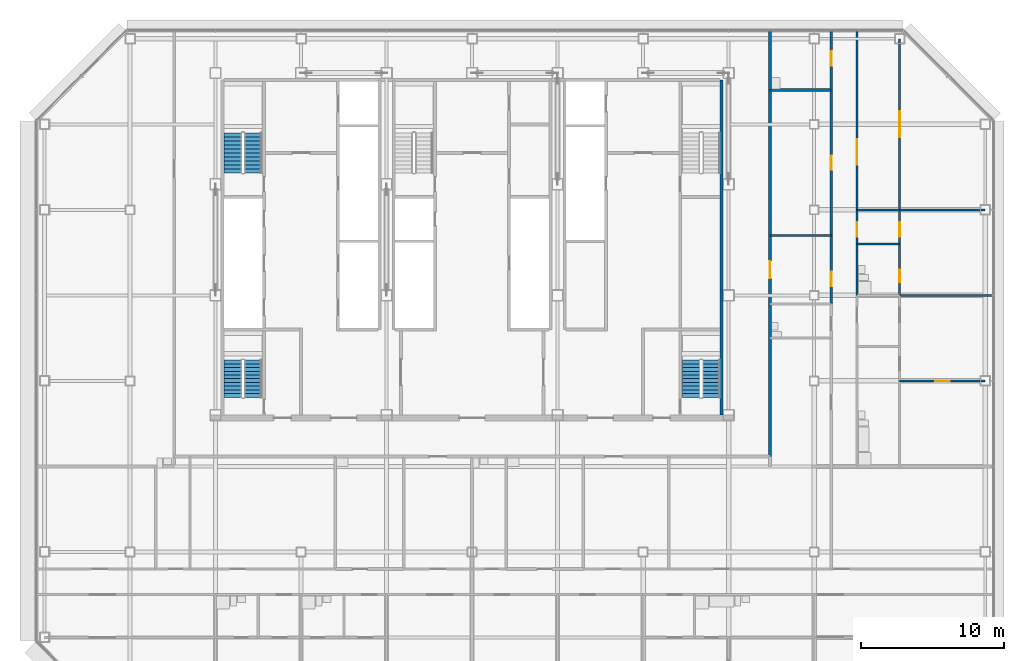
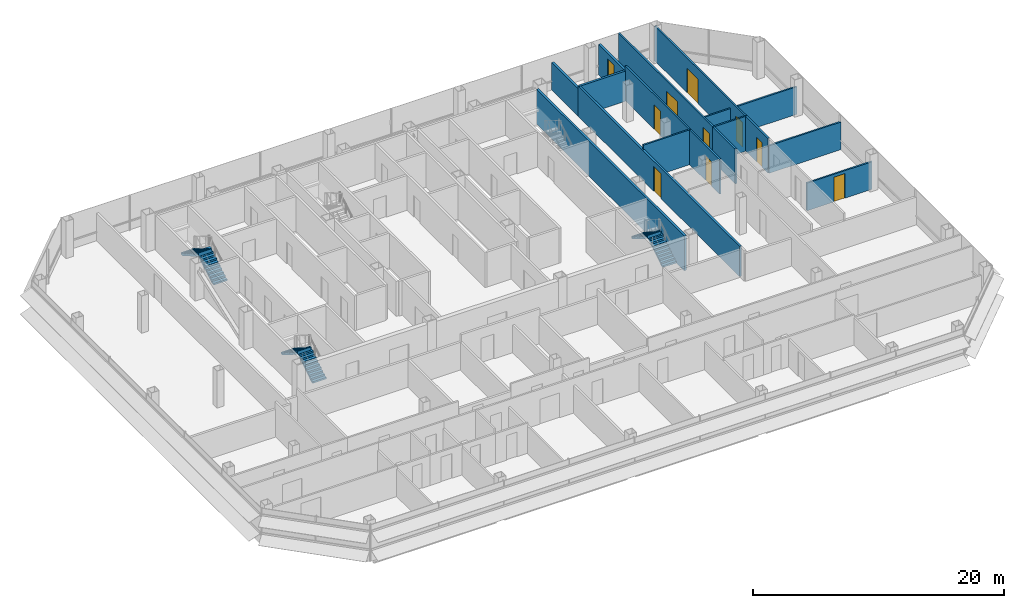
# One storey, part 23 of 26: 15 walls, 10 doors, 6 stair flights, 10 openings, 3 elements without a shape of their own.
"""IFC4 building model written with IfcOpenShell, lengths in metres."""

from ifc_helpers import new_model, si_unit, direction, frame, frame_2d, origin, place, context, subcontext, project, spatial, polyline, rectangle, outline, extrude, material, layer, layer_set, type_object, element, fill, aggregate, save


model = new_model("IFC4")

# Units and contexts
model_context = context("Model", 3, precision=1e-05, world=origin(), true_north=direction((0.0, 1.0)))
body_context = subcontext(model_context, "Body", "Model", "MODEL_VIEW")
ifc_project = project(units=[si_unit("LENGTHUNIT", "METRE"), si_unit("AREAUNIT", "SQUARE_METRE"), si_unit("VOLUMEUNIT", "CUBIC_METRE"), si_unit("PLANEANGLEUNIT", "RADIAN"), si_unit("MASSUNIT", "GRAM", prefix="KILO")], contexts=[model_context])

# Site, building, storey
site_placement = place(None, origin())
site = spatial("IfcSite", under=ifc_project, at=site_placement, CompositionType="ELEMENT")
building_placement = place(site_placement, origin())
building = spatial("IfcBuilding", under=site, at=building_placement, Name="Sorahane Residences", CompositionType="ELEMENT")
storey_placement = place(building_placement, frame((0.0, 0.0, 158.199951171875)))
storey = spatial("IfcBuildingStorey", under=building, at=storey_placement, Name="L36", CompositionType="ELEMENT", Elevation=158.199951171875)

# Wall
ifc_material_1 = material(Name="Concrete C30", Category="concrete")
ifc_layer_1 = layer(ifc_material_1, 0.199951171875)
ifc_layer_set_1 = layer_set([ifc_layer_1], Name="Core face wall 200 EI 180")
wall_type_1 = type_object("IfcWallType", Name="Core face wall 200 EI 180", PredefinedType="SOLIDWALL", material=ifc_layer_set_1)
wall_1_placement = place(storey_placement, frame((41.5, 21.60009765625, 0.0), z_axis=(0.0, 0.0, 1.0), x_axis=(0.0, 1.0, 0.0)))
element("IfcWall", 1, at=wall_1_placement, inside=storey, type_object=wall_type_1, Name="L36 core face wall", PredefinedType="SOLIDWALL", context=body_context, shape_type="SweptSolid", body=[
    extrude(rectangle(XDim=23.5, YDim=0.199951171875, at=frame_2d((11.75, 0.0))), origin(), (0.0, 0.0, 1.0), 3.380126953125),
])

# Wall, opening, door
ifc_material_2 = material(Name="Concrete blockwork C20 wall", Category="masonry")
ifc_layer_2 = layer(ifc_material_2, 0.199951171875)
ifc_layer_set_2 = layer_set([ifc_layer_2], Name="Corridor wall 200 EI 120")
wall_type_2 = type_object("IfcWallType", Name="Corridor wall 200 EI 120", PredefinedType="SOLIDWALL", material=ifc_layer_set_2)
wall_2_placement = place(storey_placement, frame((44.89990234375, 18.699951171875, 0.0), z_axis=(0.0, 0.0, 1.0), x_axis=(0.0, 1.0, 0.0)))
wall_2 = element("IfcWall", 2, at=wall_2_placement, inside=storey, type_object=wall_type_2, Name="L36 corridor wall", PredefinedType="SOLIDWALL", context=body_context, shape_type="SweptSolid", body=[
    extrude(rectangle(XDim=25.699951171875, YDim=0.199951171875, at=frame_2d((12.85009765625, 0.0))), origin(), (0.0, 0.0, 1.0), 2.929931640625),
])
opening_1_placement = place(wall_2_placement, frame((12.5, 0.0, 0.0)))
opening_1 = element("IfcOpeningElement", 3, at=opening_1_placement, cuts=wall_2, Name="Opening L36-44", PredefinedType="OPENING", context=body_context, shape_type="SweptSolid", body=[
    extrude(rectangle(XDim=1.199951171875, YDim=2.39990234375, at=frame_2d((0.60009765625, 1.199951171875))), frame((0.0, 0.10986328125, 0.0), z_axis=(0.0, -1.0, 0.0), x_axis=(1.0, 0.0, 0.0)), (0.0, 0.0, 1.0), 0.219970703125),
])
ifc_material_3 = material(Name="Timber veneered fire door", Category="wood")
door_type_1 = type_object("IfcDoorType", Name="Flat entrance door 1200x2400 FD60", OperationType="NOTDEFINED", PredefinedType="DOOR", material=ifc_material_3)
door_1_placement = place(opening_1_placement, frame((1.199951171875, 0.0, 0.0), z_axis=(0.0, 0.0, 1.0), x_axis=(-1.0, 0.0, 0.0)))
door_1 = element("IfcDoor", 4, at=door_1_placement, inside=storey, type_object=door_type_1, Name="Flat entrance door L36-44", OperationType="SINGLE_SWING_LEFT", OverallHeight=2.39990234375, OverallWidth=1.199951171875, PredefinedType="DOOR", context=body_context, shape_type="SweptSolid", body=[
    extrude(rectangle(XDim=1.199951171875, YDim=2.39990234375, at=frame_2d((0.60009765625, 1.199951171875))), frame((0.0, 0.02490234375, 0.0), z_axis=(0.0, -1.0, 0.0), x_axis=(1.0, 0.0, 0.0)), (0.0, 0.0, 1.0), 0.050048828125),
])
fill(opening_1, door_1)

# Wall
ifc_material_4 = material(Name="Concrete blockwork C20 wall", Category="masonry")
ifc_layer_3 = layer(ifc_material_4, 0.199951171875)
ifc_layer_set_3 = layer_set([ifc_layer_3], Name="Kitchen wall 200 EI 180")
wall_type_3 = type_object("IfcWallType", Name="Kitchen wall 200 EI 180", PredefinedType="SOLIDWALL", material=ifc_layer_set_3)
wall_3_placement = place(storey_placement, frame((44.89990234375, 44.39990234375, 0.0), z_axis=(0.0, 0.0, 1.0), x_axis=(0.0, 1.0, 0.0)))
element("IfcWall", 5, at=wall_3_placement, inside=storey, type_object=wall_type_3, Name="L36 kitchen wall", PredefinedType="SOLIDWALL", context=body_context, shape_type="SweptSolid", body=[
    extrude(rectangle(XDim=4.2001953125, YDim=0.199951171875, at=frame_2d((2.10009765625, 0.0))), origin(), (0.0, 0.0, 1.0), 2.679931640625),
])

# Wall, opening, door
wall_4_placement = place(storey_placement, frame((49.199951171875, 44.39990234375, 0.0), z_axis=(0.0, 0.0, 1.0), x_axis=(0.0, 1.0, 0.0)))
wall_4 = element("IfcWall", 6, at=wall_4_placement, inside=storey, type_object=wall_type_3, Name="L36 kitchen wall", PredefinedType="SOLIDWALL", context=body_context, shape_type="SweptSolid", body=[
    extrude(rectangle(XDim=4.2001953125, YDim=0.199951171875, at=frame_2d((2.10009765625, 0.0))), origin(), (0.0, 0.0, 1.0), 2.929931640625),
])
opening_2_placement = place(wall_4_placement, frame((1.719970703125, 0.0, 0.0)))
opening_2 = element("IfcOpeningElement", 7, at=opening_2_placement, cuts=wall_4, Name="Opening L36-32", PredefinedType="OPENING", context=body_context, shape_type="SweptSolid", body=[
    extrude(rectangle(XDim=1.0, YDim=2.39990234375, at=frame_2d((0.5, 1.199951171875))), frame((0.0, 0.10986328125, 0.0), z_axis=(0.0, -1.0, 0.0), x_axis=(1.0, 0.0, 0.0)), (0.0, 0.0, 1.0), 0.219970703125),
])
ifc_material_5 = material(Name="Steel", Category="steel")
door_type_2 = type_object("IfcDoorType", Name="Kitchen door 1000x2400 FD120", OperationType="NOTDEFINED", PredefinedType="DOOR", material=ifc_material_5)
door_2_placement = place(opening_2_placement, origin())
door_2 = element("IfcDoor", 8, at=door_2_placement, inside=storey, type_object=door_type_2, Name="Kitchen door L36-32", OperationType="SINGLE_SWING_LEFT", OverallHeight=2.39990234375, OverallWidth=1.0, PredefinedType="DOOR", context=body_context, shape_type="SweptSolid", body=[
    extrude(rectangle(XDim=1.0, YDim=2.39990234375, at=frame_2d((0.5, 1.199951171875))), frame((0.0, 0.02490234375, 0.0), z_axis=(0.0, -1.0, 0.0), x_axis=(1.0, 0.0, 0.0)), (0.0, 0.0, 1.0), 0.050048828125),
])
fill(opening_2, door_2)

# Wall
wall_5_placement = place(storey_placement, frame((44.89990234375, 44.39990234375, 0.0), z_axis=(0.0, 0.0, 1.0), x_axis=(1.0, 0.0, 0.0)))
element("IfcWall", 9, at=wall_5_placement, inside=storey, type_object=wall_type_3, Name="L36 kitchen wall", PredefinedType="SOLIDWALL", context=body_context, shape_type="SweptSolid", body=[
    extrude(rectangle(XDim=4.300048828125, YDim=0.199951171875, at=frame_2d((2.14990234375, 0.0))), origin(), (0.0, 0.0, 1.0), 2.929931640625),
])

# Wall, openings, doors
ifc_material_6 = material(Name="Gypsum board partition on steel studs", Category="steel")
ifc_layer_4 = layer(ifc_material_6, 0.14990234375)
ifc_layer_set_4 = layer_set([ifc_layer_4], Name="Partition 150 EI 90")
wall_type_4 = type_object("IfcWallType", Name="Partition 150 EI 90", PredefinedType="PARTITIONING", material=ifc_layer_set_4)
wall_6_placement = place(storey_placement, frame((49.199951171875, 29.39990234375, 0.0), z_axis=(0.0, 0.0, 1.0), x_axis=(0.0, 1.0, 0.0)))
wall_6 = element("IfcWall", 10, at=wall_6_placement, inside=storey, type_object=wall_type_4, Name="L36 partition", PredefinedType="PARTITIONING", context=body_context, shape_type="SweptSolid", body=[
    extrude(rectangle(XDim=15.0, YDim=0.14990234375, at=frame_2d((7.5, 0.0))), origin(), (0.0, 0.0, 1.0), 3.380126953125),
])
opening_3_placement = place(wall_6_placement, frame((1.239990234375, 0.0, 0.0)))
opening_3 = element("IfcOpeningElement", 11, at=opening_3_placement, cuts=wall_6, Name="Opening L36-28", PredefinedType="OPENING", context=body_context, shape_type="SweptSolid", body=[
    extrude(rectangle(XDim=1.0, YDim=2.39990234375, at=frame_2d((0.5, 1.199951171875))), frame((0.0, 0.0849609375, 0.0), z_axis=(0.0, -1.0, 0.0), x_axis=(1.0, 0.0, 0.0)), (0.0, 0.0, 1.0), 0.169921875),
])
opening_4_placement = place(wall_6_placement, frame((9.39990234375, 0.0, 0.0)))
opening_4 = element("IfcOpeningElement", 12, at=opening_4_placement, cuts=wall_6, Name="Opening L36-31", PredefinedType="OPENING", context=body_context, shape_type="SweptSolid", body=[
    extrude(rectangle(XDim=1.0, YDim=2.39990234375, at=frame_2d((0.5, 1.199951171875))), frame((0.0, 0.0849609375, 0.0), z_axis=(0.0, -1.0, 0.0), x_axis=(1.0, 0.0, 0.0)), (0.0, 0.0, 1.0), 0.169921875),
])
ifc_material_7 = material(Name="Timber veneered fire door", Category="wood")
door_type_3 = type_object("IfcDoorType", Name="Room door 1000x2400 FD30", OperationType="NOTDEFINED", PredefinedType="DOOR", material=ifc_material_7)
door_3_placement = place(opening_3_placement, frame((1.0, 0.0, 0.0), z_axis=(0.0, 0.0, 1.0), x_axis=(-1.0, 0.0, 0.0)))
door_3 = element("IfcDoor", 13, at=door_3_placement, inside=storey, type_object=door_type_3, Name="Room door L36-28", OperationType="SINGLE_SWING_LEFT", OverallHeight=2.39990234375, OverallWidth=1.0, PredefinedType="DOOR", context=body_context, shape_type="SweptSolid", body=[
    extrude(rectangle(XDim=1.0, YDim=2.39990234375, at=frame_2d((0.5, 1.199951171875))), frame((0.0, 0.02490234375, 0.0), z_axis=(0.0, -1.0, 0.0), x_axis=(1.0, 0.0, 0.0)), (0.0, 0.0, 1.0), 0.050048828125),
])
fill(opening_3, door_3)
door_4_placement = place(opening_4_placement, origin())
door_4 = element("IfcDoor", 14, at=door_4_placement, inside=storey, type_object=door_type_3, Name="Room door L36-31", OperationType="SINGLE_SWING_RIGHT", OverallHeight=2.39990234375, OverallWidth=1.0, PredefinedType="DOOR", context=body_context, shape_type="SweptSolid", body=[
    extrude(rectangle(XDim=1.0, YDim=2.39990234375, at=frame_2d((0.5, 1.199951171875))), frame((0.0, 0.02490234375, 0.0), z_axis=(0.0, -1.0, 0.0), x_axis=(1.0, 0.0, 0.0)), (0.0, 0.0, 1.0), 0.050048828125),
])
fill(opening_4, door_4)

wall_7_placement = place(storey_placement, frame((51.0, 33.60009765625, 0.0), z_axis=(0.0, 0.0, 1.0), x_axis=(0.0, 1.0, 0.0)))
wall_7 = element("IfcWall", 15, at=wall_7_placement, inside=storey, type_object=wall_type_4, Name="L36 partition", PredefinedType="PARTITIONING", context=body_context, shape_type="SweptSolid", body=[
    extrude(rectangle(XDim=15.0, YDim=0.14990234375, at=frame_2d((7.5, 0.0))), origin(), (0.0, 0.0, 1.0), 3.380126953125),
])
opening_5_placement = place(wall_7_placement, frame((0.52001953125, 0.0, 0.0)))
opening_5 = element("IfcOpeningElement", 16, at=opening_5_placement, cuts=wall_7, Name="Opening L36-34", PredefinedType="OPENING", context=body_context, shape_type="SweptSolid", body=[
    extrude(rectangle(XDim=1.0, YDim=2.39990234375, at=frame_2d((0.5, 1.199951171875))), frame((0.0, 0.0849609375, 0.0), z_axis=(0.0, -1.0, 0.0), x_axis=(1.0, 0.0, 0.0)), (0.0, 0.0, 1.0), 0.169921875),
])
opening_6_placement = place(wall_7_placement, frame((5.56005859375, 0.0, 0.0)))
opening_6 = element("IfcOpeningElement", 17, at=opening_6_placement, cuts=wall_7, Name="Opening L36-35", PredefinedType="OPENING", context=body_context, shape_type="SweptSolid", body=[
    extrude(rectangle(XDim=1.800048828125, YDim=2.39990234375, at=frame_2d((0.89990234375, 1.199951171875))), frame((0.0, 0.0849609375, 0.0), z_axis=(0.0, -1.0, 0.0), x_axis=(1.0, 0.0, 0.0)), (0.0, 0.0, 1.0), 0.169921875),
])
ifc_material_8 = material(Name="Timber veneered fire door", Category="wood")
door_type_4 = type_object("IfcDoorType", Name="Double door 1800x2400 FD30", OperationType="NOTDEFINED", PredefinedType="DOOR", material=ifc_material_8)
door_5_placement = place(opening_6_placement, frame((1.800048828125, 0.0, 0.0), z_axis=(0.0, 0.0, 1.0), x_axis=(-1.0, 0.0, 0.0)))
door_5 = element("IfcDoor", 18, at=door_5_placement, inside=storey, type_object=door_type_4, Name="Double door L36-35", OperationType="SINGLE_SWING_RIGHT", OverallHeight=2.39990234375, OverallWidth=1.800048828125, PredefinedType="DOOR", context=body_context, shape_type="SweptSolid", body=[
    extrude(rectangle(XDim=1.800048828125, YDim=2.39990234375, at=frame_2d((0.89990234375, 1.199951171875))), frame((0.0, 0.02490234375, 0.0), z_axis=(0.0, -1.0, 0.0), x_axis=(1.0, 0.0, 0.0)), (0.0, 0.0, 1.0), 0.050048828125),
])
fill(opening_6, door_5)
door_6_placement = place(opening_5_placement, frame((1.0, 0.0, 0.0), z_axis=(0.0, 0.0, 1.0), x_axis=(-1.0, 0.0, 0.0)))
door_6 = element("IfcDoor", 19, at=door_6_placement, inside=storey, type_object=door_type_3, Name="Room door L36-34", OperationType="SINGLE_SWING_RIGHT", OverallHeight=2.39990234375, OverallWidth=1.0, PredefinedType="DOOR", context=body_context, shape_type="SweptSolid", body=[
    extrude(rectangle(XDim=1.0, YDim=2.39990234375, at=frame_2d((0.5, 1.199951171875))), frame((0.0, 0.02490234375, 0.0), z_axis=(0.0, -1.0, 0.0), x_axis=(1.0, 0.0, 0.0)), (0.0, 0.0, 1.0), 0.050048828125),
])
fill(opening_5, door_6)

wall_8_placement = place(storey_placement, frame((54.0, 33.60009765625, 0.0), z_axis=(0.0, 0.0, 1.0), x_axis=(0.0, 1.0, 0.0)))
wall_8 = element("IfcWall", 20, at=wall_8_placement, inside=storey, type_object=wall_type_4, Name="L36 partition", PredefinedType="PARTITIONING", context=body_context, shape_type="SweptSolid", body=[
    extrude(rectangle(XDim=14.39990234375, YDim=0.14990234375, at=frame_2d((7.199951171875, 0.0))), origin(), (0.0, 0.0, 1.0), 3.380126953125),
])
opening_7_placement = place(wall_8_placement, frame((0.52001953125, 0.0, 0.0)))
opening_7 = element("IfcOpeningElement", 21, at=opening_7_placement, cuts=wall_8, Name="Opening L36-39", PredefinedType="OPENING", context=body_context, shape_type="SweptSolid", body=[
    extrude(rectangle(XDim=1.0, YDim=2.39990234375, at=frame_2d((0.5, 1.199951171875))), frame((0.0, 0.0849609375, 0.0), z_axis=(0.0, -1.0, 0.0), x_axis=(1.0, 0.0, 0.0)), (0.0, 0.0, 1.0), 0.169921875),
])
opening_8_placement = place(wall_8_placement, frame((7.5, 0.0, 0.0)))
opening_8 = element("IfcOpeningElement", 22, at=opening_8_placement, cuts=wall_8, Name="Opening L36-41", PredefinedType="OPENING", context=body_context, shape_type="SweptSolid", body=[
    extrude(rectangle(XDim=1.800048828125, YDim=2.39990234375, at=frame_2d((0.89990234375, 1.199951171875))), frame((0.0, 0.0849609375, 0.0), z_axis=(0.0, -1.0, 0.0), x_axis=(1.0, 0.0, 0.0)), (0.0, 0.0, 1.0), 0.169921875),
])
door_7_placement = place(opening_8_placement, frame((1.800048828125, 0.0, 0.0), z_axis=(0.0, 0.0, 1.0), x_axis=(-1.0, 0.0, 0.0)))
door_7 = element("IfcDoor", 23, at=door_7_placement, inside=storey, type_object=door_type_4, Name="Double door L36-41", OperationType="SINGLE_SWING_RIGHT", OverallHeight=2.39990234375, OverallWidth=1.800048828125, PredefinedType="DOOR", context=body_context, shape_type="SweptSolid", body=[
    extrude(rectangle(XDim=1.800048828125, YDim=2.39990234375, at=frame_2d((0.89990234375, 1.199951171875))), frame((0.0, 0.02490234375, 0.0), z_axis=(0.0, -1.0, 0.0), x_axis=(1.0, 0.0, 0.0)), (0.0, 0.0, 1.0), 0.050048828125),
])
fill(opening_8, door_7)
door_8_placement = place(opening_7_placement, frame((1.0, 0.0, 0.0), z_axis=(0.0, 0.0, 1.0), x_axis=(-1.0, 0.0, 0.0)))
door_8 = element("IfcDoor", 24, at=door_8_placement, inside=storey, type_object=door_type_3, Name="Room door L36-39", OperationType="SINGLE_SWING_RIGHT", OverallHeight=2.39990234375, OverallWidth=1.0, PredefinedType="DOOR", context=body_context, shape_type="SweptSolid", body=[
    extrude(rectangle(XDim=1.0, YDim=2.39990234375, at=frame_2d((0.5, 1.199951171875))), frame((0.0, 0.02490234375, 0.0), z_axis=(0.0, -1.0, 0.0), x_axis=(1.0, 0.0, 0.0)), (0.0, 0.0, 1.0), 0.050048828125),
])
fill(opening_7, door_8)

# Wall, opening, door
wall_9_placement = place(storey_placement, frame((54.0, 24.0, 0.0), z_axis=(0.0, 0.0, 1.0), x_axis=(1.0, 0.0, 0.0)))
wall_9 = element("IfcWall", 25, at=wall_9_placement, inside=storey, type_object=wall_type_4, Name="L36 partition", PredefinedType="PARTITIONING", context=body_context, shape_type="SweptSolid", body=[
    extrude(rectangle(XDim=6.0, YDim=0.14990234375, at=frame_2d((3.0, 0.0))), origin(), (0.0, 0.0, 1.0), 2.679931640625),
])
opening_9_placement = place(wall_9_placement, frame((2.5, 0.0, 0.0)))
opening_9 = element("IfcOpeningElement", 26, at=opening_9_placement, cuts=wall_9, Name="Opening L36-37", PredefinedType="OPENING", context=body_context, shape_type="SweptSolid", body=[
    extrude(rectangle(XDim=1.0, YDim=2.39990234375, at=frame_2d((0.5, 1.199951171875))), frame((0.0, 0.0849609375, 0.0), z_axis=(0.0, -1.0, 0.0), x_axis=(1.0, 0.0, 0.0)), (0.0, 0.0, 1.0), 0.169921875),
])
door_9_placement = place(opening_9_placement, frame((1.0, 0.0, 0.0), z_axis=(0.0, 0.0, 1.0), x_axis=(-1.0, 0.0, 0.0)))
door_9 = element("IfcDoor", 27, at=door_9_placement, inside=storey, type_object=door_type_3, Name="Room door L36-37", OperationType="SINGLE_SWING_RIGHT", OverallHeight=2.39990234375, OverallWidth=1.0, PredefinedType="DOOR", context=body_context, shape_type="SweptSolid", body=[
    extrude(rectangle(XDim=1.0, YDim=2.39990234375, at=frame_2d((0.5, 1.199951171875))), frame((0.0, 0.02490234375, 0.0), z_axis=(0.0, -1.0, 0.0), x_axis=(1.0, 0.0, 0.0)), (0.0, 0.0, 1.0), 0.050048828125),
])
fill(opening_9, door_9)

# Walls
wall_10_placement = place(storey_placement, frame((54.0, 30.0, 0.0), z_axis=(0.0, 0.0, 1.0), x_axis=(1.0, 0.0, 0.0)))
element("IfcWall", 28, at=wall_10_placement, inside=storey, type_object=wall_type_4, Name="L36 partition", PredefinedType="PARTITIONING", context=body_context, shape_type="SweptSolid", body=[
    extrude(rectangle(XDim=6.60009765625, YDim=0.14990234375, at=frame_2d((3.300048828125, 0.0))), origin(), (0.0, 0.0, 1.0), 2.679931640625),
])
wall_11_placement = place(storey_placement, frame((44.89990234375, 34.199951171875, 0.0), z_axis=(0.0, 0.0, 1.0), x_axis=(1.0, 0.0, 0.0)))
element("IfcWall", 29, at=wall_11_placement, inside=storey, type_object=wall_type_4, Name="L36 partition", PredefinedType="PARTITIONING", context=body_context, shape_type="SweptSolid", body=[
    extrude(rectangle(XDim=4.300048828125, YDim=0.14990234375, at=frame_2d((2.14990234375, 0.0))), origin(), (0.0, 0.0, 1.0), 3.380126953125),
])
wall_12_placement = place(storey_placement, frame((51.0, 36.0, 0.0), z_axis=(0.0, 0.0, 1.0), x_axis=(1.0, 0.0, 0.0)))
element("IfcWall", 30, at=wall_12_placement, inside=storey, type_object=wall_type_4, Name="L36 partition", PredefinedType="PARTITIONING", context=body_context, shape_type="SweptSolid", body=[
    extrude(rectangle(XDim=9.0, YDim=0.14990234375, at=frame_2d((4.5, 0.0))), origin(), (0.0, 0.0, 1.0), 2.679931640625),
])
ifc_material_9 = material(Name="Gypsum board partition on steel studs", Category="steel")
ifc_layer_5 = layer(ifc_material_9, 0.14990234375)
ifc_layer_set_5 = layer_set([ifc_layer_5], Name="Wet wall 150 EI 90")
wall_type_5 = type_object("IfcWallType", Name="Wet wall 150 EI 90", PredefinedType="PARTITIONING", material=ifc_layer_set_5)
wall_13_placement = place(storey_placement, frame((51.0, 30.0, 0.0), z_axis=(0.0, 0.0, 1.0), x_axis=(0.0, 1.0, 0.0)))
element("IfcWall", 31, at=wall_13_placement, inside=storey, type_object=wall_type_5, Name="L36 wet wall", PredefinedType="PARTITIONING", context=body_context, shape_type="SweptSolid", body=[
    extrude(rectangle(XDim=3.60009765625, YDim=0.14990234375, at=frame_2d((1.800048828125, 0.0))), origin(), (0.0, 0.0, 1.0), 3.380126953125),
])

# Wall, opening, door
wall_14_placement = place(storey_placement, frame((54.0, 30.0, 0.0), z_axis=(0.0, 0.0, 1.0), x_axis=(0.0, 1.0, 0.0)))
wall_14 = element("IfcWall", 32, at=wall_14_placement, inside=storey, type_object=wall_type_5, Name="L36 wet wall", PredefinedType="PARTITIONING", context=body_context, shape_type="SweptSolid", body=[
    extrude(rectangle(XDim=3.60009765625, YDim=0.14990234375, at=frame_2d((1.800048828125, 0.0))), origin(), (0.0, 0.0, 1.0), 3.380126953125),
])
opening_10_placement = place(wall_14_placement, frame((0.909912109375, 0.0, 0.0)))
opening_10 = element("IfcOpeningElement", 33, at=opening_10_placement, cuts=wall_14, Name="Opening L36-40", PredefinedType="OPENING", context=body_context, shape_type="SweptSolid", body=[
    extrude(rectangle(XDim=0.89990234375, YDim=2.39990234375, at=frame_2d((0.449951171875, 1.199951171875))), frame((0.0, 0.0849609375, 0.0), z_axis=(0.0, -1.0, 0.0), x_axis=(1.0, 0.0, 0.0)), (0.0, 0.0, 1.0), 0.169921875),
])
ifc_material_10 = material(Name="Timber veneered fire door", Category="wood")
door_type_5 = type_object("IfcDoorType", Name="Bathroom door 900x2400 FD30", OperationType="NOTDEFINED", PredefinedType="DOOR", material=ifc_material_10)
door_10_placement = place(opening_10_placement, frame((0.89990234375, 0.0, 0.0), z_axis=(0.0, 0.0, 1.0), x_axis=(-1.0, 0.0, 0.0)))
door_10 = element("IfcDoor", 34, at=door_10_placement, inside=storey, type_object=door_type_5, Name="Bathroom door L36-40", OperationType="SINGLE_SWING_LEFT", OverallHeight=2.39990234375, OverallWidth=0.89990234375, PredefinedType="DOOR", context=body_context, shape_type="SweptSolid", body=[
    extrude(rectangle(XDim=0.89990234375, YDim=2.39990234375, at=frame_2d((0.449951171875, 1.199951171875))), frame((0.0, 0.02490234375, 0.0), z_axis=(0.0, -1.0, 0.0), x_axis=(1.0, 0.0, 0.0)), (0.0, 0.0, 1.0), 0.050048828125),
])
fill(opening_10, door_10)

# Wall
wall_15_placement = place(storey_placement, frame((51.0, 33.60009765625, 0.0), z_axis=(0.0, 0.0, 1.0), x_axis=(1.0, 0.0, 0.0)))
element("IfcWall", 35, at=wall_15_placement, inside=storey, type_object=wall_type_5, Name="L36 wet wall", PredefinedType="PARTITIONING", context=body_context, shape_type="SweptSolid", body=[
    extrude(rectangle(XDim=3.0, YDim=0.14990234375, at=frame_2d((1.5, 0.0))), origin(), (0.0, 0.0, 1.0), 3.380126953125),
])

# Stair, stair flights
ifc_material_11 = material(Name="Concrete C40", Category="concrete")
stair_type = type_object("IfcStairType", Name="Dog-leg stair 1250 Concrete C40", PredefinedType="HALF_TURN_STAIR", material=ifc_material_11)
stair_1_placement = place(storey_placement, origin())
stair_1 = element("IfcStair", 36, at=stair_1_placement, inside=storey, type_object=stair_type, Name="L36 Stair S1", PredefinedType="HALF_TURN_STAIR")
ifc_material_12 = material(Name="Concrete C40", Category="concrete")
stair_flight_type = type_object("IfcStairFlightType", Name="Stair flight 1250 Concrete C40", PredefinedType="STRAIGHT", material=ifc_material_12)
stair_flight_1_placement = place(storey_placement, frame((8.625, 38.60009765625, 0.0), z_axis=(0.0, 0.0, 1.0), x_axis=(0.0, 1.0, 0.0)))
stair_flight_1 = element("IfcStairFlight", 37, at=stair_flight_1_placement, type_object=stair_flight_type, Name="S1 flight 1", NumberOfRisers=11, NumberOfTreads=10, PredefinedType="STRAIGHT", RiserHeight=0.163636364, TreadLength=0.28, context=body_context, shape_type="SweptSolid", body=[
    extrude(outline(polyline([(-0.00146484375, 0.0), (-0.00146484375, 0.16357421875), (0.0, 0.16357421875), (0.280029296875, 0.16357421875), (0.280029296875, 0.327392578125), (0.56005859375, 0.327392578125), (0.56005859375, 0.490966796875), (0.840087890625, 0.490966796875), (0.840087890625, 0.654541015625), (1.1201171875, 0.654541015625), (1.1201171875, 0.818115234375), (1.39990234375, 0.818115234375), (1.39990234375, 0.98193359375), (1.679931640625, 0.98193359375), (1.679931640625, 1.1455078125), (1.9599609375, 1.1455078125), (1.9599609375, 1.30908203125), (2.239990234375, 1.30908203125), (2.239990234375, 1.47265625), (2.52001953125, 1.47265625), (2.52001953125, 1.636474609375), (2.800048828125, 1.636474609375), (2.800048828125, 1.800048828125), (2.800048828125, 1.462646484375), (2.59130859375, 1.3408203125), (2.3828125, 1.218994140625), (2.17431640625, 1.09716796875), (1.965576171875, 0.97509765625), (1.757080078125, 0.853271484375), (1.548583984375, 0.7314453125), (1.340087890625, 0.609375), (1.13134765625, 0.487548828125), (0.9228515625, 0.36572265625), (0.71435546875, 0.243896484375), (0.505615234375, 0.121826171875), (0.297119140625, 0.0), (-0.00146484375, 0.0)])), frame((0.0, 0.625, 0.0), z_axis=(0.0, -1.0, 0.0), x_axis=(1.0, 0.0, 0.0)), (0.0, 0.0, 1.0), 1.25),
])
stair_flight_2_placement = place(storey_placement, frame((7.22509765625, 41.39990234375, 1.800048828125), z_axis=(0.0, 0.0, 1.0), x_axis=(0.0, -1.0, 0.0)))
stair_flight_2 = element("IfcStairFlight", 38, at=stair_flight_2_placement, type_object=stair_flight_type, Name="S1 flight 2", NumberOfRisers=11, NumberOfTreads=10, PredefinedType="STRAIGHT", RiserHeight=0.163636364, TreadLength=0.28, context=body_context, shape_type="SweptSolid", body=[
    extrude(outline(polyline([(0.0, 0.0), (0.0, 0.16357421875), (0.280029296875, 0.16357421875), (0.280029296875, 0.327392578125), (0.56005859375, 0.327392578125), (0.56005859375, 0.490966796875), (0.840087890625, 0.490966796875), (0.840087890625, 0.654541015625), (1.1201171875, 0.654541015625), (1.1201171875, 0.818115234375), (1.39990234375, 0.818115234375), (1.39990234375, 0.98193359375), (1.679931640625, 0.98193359375), (1.679931640625, 1.1455078125), (1.9599609375, 1.1455078125), (1.9599609375, 1.30908203125), (2.239990234375, 1.30908203125), (2.239990234375, 1.47265625), (2.52001953125, 1.47265625), (2.52001953125, 1.636474609375), (2.800048828125, 1.636474609375), (2.800048828125, 1.800048828125), (2.801513671875, 1.800048828125), (2.801513671875, 1.462646484375), (2.5927734375, 1.3408203125), (2.384033203125, 1.218994140625), (2.17529296875, 1.09716796875), (1.966796875, 0.97509765625), (1.758056640625, 0.853271484375), (1.54931640625, 0.7314453125), (1.340576171875, 0.609375), (1.1318359375, 0.487548828125), (0.923095703125, 0.36572265625), (0.714599609375, 0.243896484375), (0.505859375, 0.121826171875), (0.297119140625, 0.0), (0.0, 0.0)])), frame((0.0, 0.625, 0.0), z_axis=(0.0, -1.0, 0.0), x_axis=(1.0, 0.0, 0.0)), (0.0, 0.0, 1.0), 1.25),
])
aggregate(stair_1, [stair_flight_1, stair_flight_2])

stair_2_placement = place(storey_placement, origin())
stair_2 = element("IfcStair", 39, at=stair_2_placement, inside=storey, type_object=stair_type, Name="L36 Stair S4", PredefinedType="HALF_TURN_STAIR")
stair_flight_3_placement = place(storey_placement, frame((8.625, 22.85009765625, 0.0), z_axis=(0.0, 0.0, 1.0), x_axis=(0.0, 1.0, 0.0)))
stair_flight_3 = element("IfcStairFlight", 40, at=stair_flight_3_placement, type_object=stair_flight_type, Name="S4 flight 1", NumberOfRisers=11, NumberOfTreads=10, PredefinedType="STRAIGHT", RiserHeight=0.163636364, TreadLength=0.26, context=body_context, shape_type="SweptSolid", body=[
    extrude(outline(polyline([(-0.00146484375, 0.0), (-0.00146484375, 0.16357421875), (0.0, 0.16357421875), (0.260009765625, 0.16357421875), (0.260009765625, 0.327392578125), (0.52001953125, 0.327392578125), (0.52001953125, 0.490966796875), (0.780029296875, 0.490966796875), (0.780029296875, 0.654541015625), (1.0400390625, 0.654541015625), (1.0400390625, 0.818115234375), (1.300048828125, 0.818115234375), (1.300048828125, 0.98193359375), (1.56005859375, 0.98193359375), (1.56005859375, 1.1455078125), (1.820068359375, 1.1455078125), (1.820068359375, 1.30908203125), (2.080078125, 1.30908203125), (2.080078125, 1.47265625), (2.340087890625, 1.47265625), (2.340087890625, 1.636474609375), (2.60009765625, 1.636474609375), (2.60009765625, 1.800048828125), (2.60009765625, 1.494384765625), (2.402099609375, 1.369873046875), (2.204345703125, 1.245361328125), (2.00634765625, 1.120849609375), (1.80859375, 0.996337890625), (1.610595703125, 0.871826171875), (1.412841796875, 0.747314453125), (1.21484375, 0.622802734375), (1.01708984375, 0.498046875), (0.819091796875, 0.37353515625), (0.621337890625, 0.2490234375), (0.42333984375, 0.12451171875), (0.2255859375, 0.0), (-0.00146484375, 0.0)])), frame((0.0, 0.625, 0.0), z_axis=(0.0, -1.0, 0.0), x_axis=(1.0, 0.0, 0.0)), (0.0, 0.0, 1.0), 1.25),
])
stair_flight_4_placement = place(storey_placement, frame((7.22509765625, 25.449951171875, 1.800048828125), z_axis=(0.0, 0.0, 1.0), x_axis=(0.0, -1.0, 0.0)))
stair_flight_4 = element("IfcStairFlight", 41, at=stair_flight_4_placement, type_object=stair_flight_type, Name="S4 flight 2", NumberOfRisers=11, NumberOfTreads=10, PredefinedType="STRAIGHT", RiserHeight=0.163636364, TreadLength=0.26, context=body_context, shape_type="SweptSolid", body=[
    extrude(outline(polyline([(0.0, 0.0), (0.0, 0.16357421875), (0.260009765625, 0.16357421875), (0.260009765625, 0.327392578125), (0.52001953125, 0.327392578125), (0.52001953125, 0.490966796875), (0.780029296875, 0.490966796875), (0.780029296875, 0.654541015625), (1.0400390625, 0.654541015625), (1.0400390625, 0.818115234375), (1.300048828125, 0.818115234375), (1.300048828125, 0.98193359375), (1.56005859375, 0.98193359375), (1.56005859375, 1.1455078125), (1.820068359375, 1.1455078125), (1.820068359375, 1.30908203125), (2.080078125, 1.30908203125), (2.080078125, 1.47265625), (2.340087890625, 1.47265625), (2.340087890625, 1.636474609375), (2.60009765625, 1.636474609375), (2.60009765625, 1.800048828125), (2.6015625, 1.800048828125), (2.6015625, 1.494384765625), (2.403564453125, 1.369873046875), (2.20556640625, 1.245361328125), (2.007568359375, 1.120849609375), (1.8095703125, 0.996337890625), (1.611572265625, 0.871826171875), (1.41357421875, 0.747314453125), (1.215576171875, 0.622802734375), (1.017578125, 0.498046875), (0.819580078125, 0.37353515625), (0.62158203125, 0.2490234375), (0.423583984375, 0.12451171875), (0.2255859375, 0.0), (0.0, 0.0)])), frame((0.0, 0.625, 0.0), z_axis=(0.0, -1.0, 0.0), x_axis=(1.0, 0.0, 0.0)), (0.0, 0.0, 1.0), 1.25),
])
aggregate(stair_2, [stair_flight_3, stair_flight_4])

stair_3_placement = place(storey_placement, origin())
stair_3 = element("IfcStair", 42, at=stair_3_placement, inside=storey, type_object=stair_type, Name="L36 Stair S5", PredefinedType="HALF_TURN_STAIR")
stair_flight_5_placement = place(storey_placement, frame((40.77490234375, 22.85009765625, 0.0), z_axis=(0.0, 0.0, 1.0), x_axis=(0.0, 1.0, 0.0)))
stair_flight_5 = element("IfcStairFlight", 43, at=stair_flight_5_placement, type_object=stair_flight_type, Name="S5 flight 1", NumberOfRisers=11, NumberOfTreads=10, PredefinedType="STRAIGHT", RiserHeight=0.163636364, TreadLength=0.26, context=body_context, shape_type="SweptSolid", body=[
    extrude(outline(polyline([(-0.00146484375, 0.0), (-0.00146484375, 0.16357421875), (0.0, 0.16357421875), (0.260009765625, 0.16357421875), (0.260009765625, 0.327392578125), (0.52001953125, 0.327392578125), (0.52001953125, 0.490966796875), (0.780029296875, 0.490966796875), (0.780029296875, 0.654541015625), (1.0400390625, 0.654541015625), (1.0400390625, 0.818115234375), (1.300048828125, 0.818115234375), (1.300048828125, 0.98193359375), (1.56005859375, 0.98193359375), (1.56005859375, 1.1455078125), (1.820068359375, 1.1455078125), (1.820068359375, 1.30908203125), (2.080078125, 1.30908203125), (2.080078125, 1.47265625), (2.340087890625, 1.47265625), (2.340087890625, 1.636474609375), (2.60009765625, 1.636474609375), (2.60009765625, 1.800048828125), (2.60009765625, 1.494384765625), (2.402099609375, 1.369873046875), (2.204345703125, 1.245361328125), (2.00634765625, 1.120849609375), (1.80859375, 0.996337890625), (1.610595703125, 0.871826171875), (1.412841796875, 0.747314453125), (1.21484375, 0.622802734375), (1.01708984375, 0.498046875), (0.819091796875, 0.37353515625), (0.621337890625, 0.2490234375), (0.42333984375, 0.12451171875), (0.2255859375, 0.0), (-0.00146484375, 0.0)])), frame((0.0, 0.625, 0.0), z_axis=(0.0, -1.0, 0.0), x_axis=(1.0, 0.0, 0.0)), (0.0, 0.0, 1.0), 1.25),
])
stair_flight_6_placement = place(storey_placement, frame((39.375, 25.449951171875, 1.800048828125), z_axis=(0.0, 0.0, 1.0), x_axis=(0.0, -1.0, 0.0)))
stair_flight_6 = element("IfcStairFlight", 44, at=stair_flight_6_placement, type_object=stair_flight_type, Name="S5 flight 2", NumberOfRisers=11, NumberOfTreads=10, PredefinedType="STRAIGHT", RiserHeight=0.163636364, TreadLength=0.26, context=body_context, shape_type="SweptSolid", body=[
    extrude(outline(polyline([(0.0, 0.0), (0.0, 0.16357421875), (0.260009765625, 0.16357421875), (0.260009765625, 0.327392578125), (0.52001953125, 0.327392578125), (0.52001953125, 0.490966796875), (0.780029296875, 0.490966796875), (0.780029296875, 0.654541015625), (1.0400390625, 0.654541015625), (1.0400390625, 0.818115234375), (1.300048828125, 0.818115234375), (1.300048828125, 0.98193359375), (1.56005859375, 0.98193359375), (1.56005859375, 1.1455078125), (1.820068359375, 1.1455078125), (1.820068359375, 1.30908203125), (2.080078125, 1.30908203125), (2.080078125, 1.47265625), (2.340087890625, 1.47265625), (2.340087890625, 1.636474609375), (2.60009765625, 1.636474609375), (2.60009765625, 1.800048828125), (2.6015625, 1.800048828125), (2.6015625, 1.494384765625), (2.403564453125, 1.369873046875), (2.20556640625, 1.245361328125), (2.007568359375, 1.120849609375), (1.8095703125, 0.996337890625), (1.611572265625, 0.871826171875), (1.41357421875, 0.747314453125), (1.215576171875, 0.622802734375), (1.017578125, 0.498046875), (0.819580078125, 0.37353515625), (0.62158203125, 0.2490234375), (0.423583984375, 0.12451171875), (0.2255859375, 0.0), (0.0, 0.0)])), frame((0.0, 0.625, 0.0), z_axis=(0.0, -1.0, 0.0), x_axis=(1.0, 0.0, 0.0)), (0.0, 0.0, 1.0), 1.25),
])
aggregate(stair_3, [stair_flight_5, stair_flight_6])

save(model, "model.ifc")
